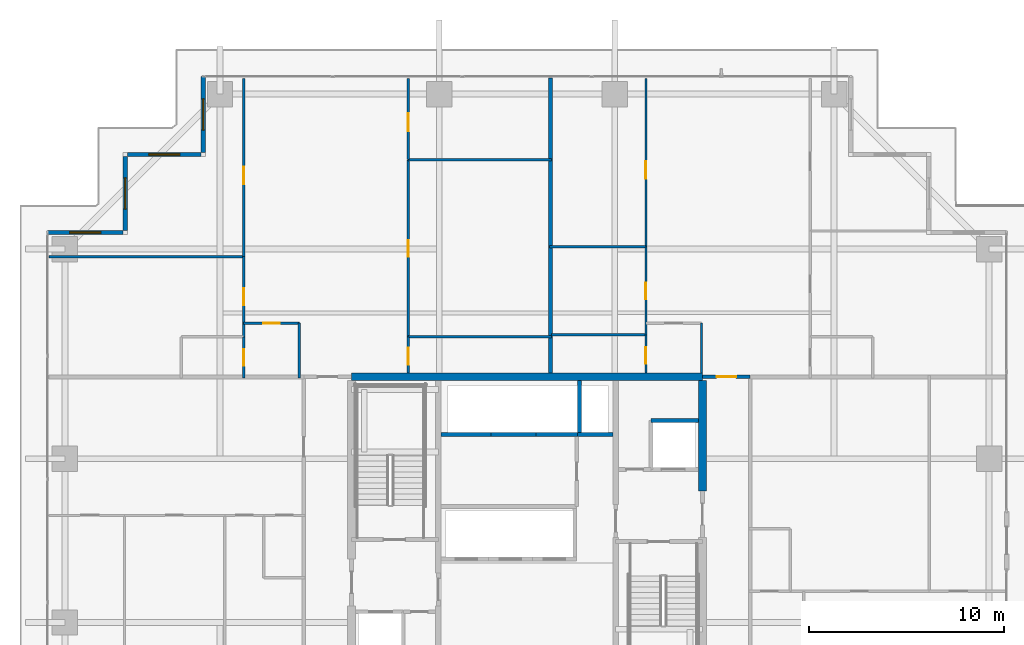
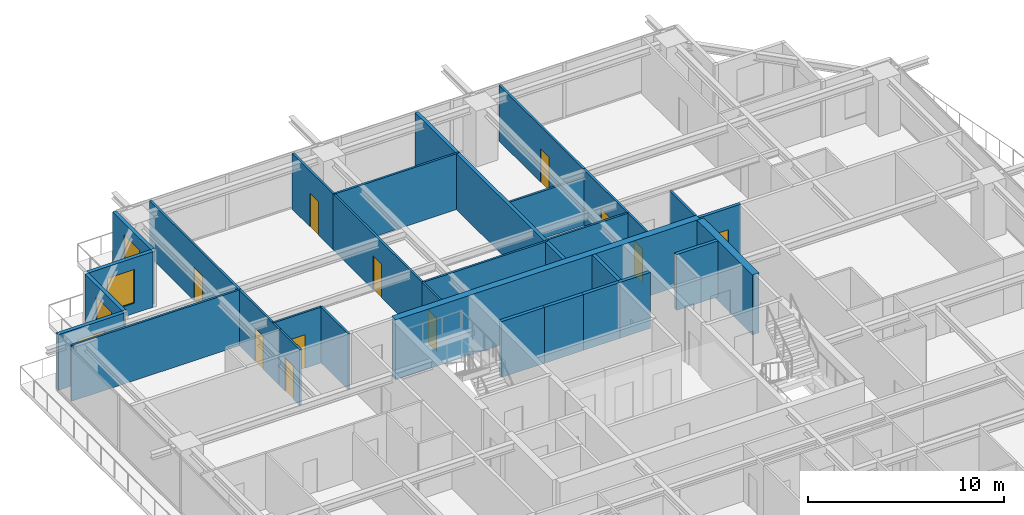
# One storey, part 29 of 36: 31 walls, 11 doors, 4 windows, 15 openings.
"""IFC4 building model written with IfcOpenShell, lengths in metres."""

import ifcopenshell
import ifcopenshell.guid

model = None  # the IFC model being written
_history = None  # IfcOwnerHistory: only IFC2X3 demands one
_inside = {}  # id of a spatial element -> (the spatial element, [elements in it])
_under = {}  # id of a project, library or spatial element -> (it, [spatial elements below it])
_declared = {}  # id of a project -> (the project, [libraries it declares])
_typed = {}  # id of a type object -> (the type object, [elements of that type])
_made_of = {}  # id of a material, layer set ... -> (it, [elements and type objects made of it])


def new_model(schema):
    """Start an empty IFC model of exactly this schema.

    Asked for "IFC4X3", IfcOpenShell would pick the latest addendum, in which some entities
    have other attributes; the version numbers below select the first issue.
    IFC2X3 requires an IfcOwnerHistory on every rooted entity: one is made here for all.
    """
    global model, _history
    if schema == "IFC4X3":
        model = ifcopenshell.file(schema_version=(4, 3, 0, 0))
    else:
        model = ifcopenshell.file(schema=schema)
    _inside.clear()
    _under.clear()
    _declared.clear()
    _typed.clear()
    _made_of.clear()
    _history = None
    if model.schema == "IFC2X3":
        org = make("IfcOrganization", Name="unknown")
        user = make(
            "IfcPersonAndOrganization",
            ThePerson=make("IfcPerson", FamilyName="unknown"),
            TheOrganization=org,
        )
        app = make(
            "IfcApplication",
            ApplicationDeveloper=org,
            Version="unknown",
            ApplicationFullName="unknown",
            ApplicationIdentifier="unknown",
        )
        _history = make(
            "IfcOwnerHistory",
            OwningUser=user,
            OwningApplication=app,
            ChangeAction="ADDED",
            CreationDate=0,
        )
    return model


def make(cls, **values):
    """One entity of the class cls with the attributes given. An attribute that is None is left unset."""
    return model.create_entity(
        cls, **{name: value for name, value in values.items() if value is not None}
    )


def rooted(cls, **values):
    """An entity with a GlobalId (a new one), such as an element, a storey or a relation."""
    return make(cls, GlobalId=ifcopenshell.guid.new(), OwnerHistory=_history, **values)


def si_unit(unit_type, name, prefix=None):
    """IfcSIUnit, for example si_unit("LENGTHUNIT", "METRE", prefix="MILLI")."""
    return make("IfcSIUnit", UnitType=unit_type, Prefix=prefix, Name=name)


def assignment(units):
    """IfcUnitAssignment: the units of a project."""
    return None if units is None else make("IfcUnitAssignment", Units=units)


def point(xyz):
    """IfcCartesianPoint."""
    return None if xyz is None else make("IfcCartesianPoint", Coordinates=xyz)


def direction(xyz):
    """IfcDirection."""
    return None if xyz is None else make("IfcDirection", DirectionRatios=xyz)


def frame(location, z_axis=None, x_axis=None):
    """IfcAxis2Placement3D, a coordinate frame: its origin and axes. An axis left out is left unset."""
    return make(
        "IfcAxis2Placement3D",
        Location=point(location),
        Axis=direction(z_axis),
        RefDirection=direction(x_axis),
    )


def frame_2d(location, x_axis=None):
    """IfcAxis2Placement2D, a coordinate frame in the plane: its origin and x axis."""
    return make(
        "IfcAxis2Placement2D", Location=point(location), RefDirection=direction(x_axis)
    )


def origin():
    """The frame at (0, 0, 0) with its axes left unset."""
    return frame((0.0, 0.0, 0.0))


def place(relative_to, where):
    """IfcLocalPlacement: puts the frame where relative to a parent placement (None: the world)."""
    return make(
        "IfcLocalPlacement", PlacementRelTo=relative_to, RelativePlacement=where
    )


def context(
    kind, dimensions, precision=None, world=None, true_north=None, identifier=None
):
    """IfcGeometricRepresentationContext, for example the 3D "Model" context."""
    return make(
        "IfcGeometricRepresentationContext",
        ContextIdentifier=identifier,
        ContextType=kind,
        CoordinateSpaceDimension=dimensions,
        Precision=precision,
        WorldCoordinateSystem=world,
        TrueNorth=true_north,
    )


def subcontext(parent, identifier, kind, view, scale=None):
    """IfcGeometricRepresentationSubContext, for example "Body" below "Model"."""
    return make(
        "IfcGeometricRepresentationSubContext",
        ContextIdentifier=identifier,
        ContextType=kind,
        ParentContext=parent,
        TargetScale=scale,
        TargetView=view,
    )


def project(units=None, contexts=None):
    """IfcProject with its units and contexts."""
    return rooted(
        "IfcProject",
        Name="project",
        RepresentationContexts=contexts,
        UnitsInContext=assignment(units),
    )


def spatial(cls, under=None, at=None, **own):
    """A site, building, storey or space (cls), placed at a placement, below another one or the project."""
    s = rooted(cls, ObjectPlacement=at, **own)
    if under is not None:
        _under.setdefault(under.id(), (under, []))[1].append(s)
    return s


def profile(cls, at=None, kind="AREA", **sizes):
    """A parametric profile (cls). Its sizes go by their IFC names, for example OverallWidth=200.0."""
    return make(cls, ProfileType=kind, Position=at, **sizes)


def rectangle(**sizes):
    """IfcRectangleProfileDef."""
    return profile("IfcRectangleProfileDef", **sizes)


def extrude(swept, where, along, depth):
    """IfcExtrudedAreaSolid: the profile swept, set in the frame where, extruded along a direction by depth."""
    return make(
        "IfcExtrudedAreaSolid",
        SweptArea=swept,
        Position=where,
        ExtrudedDirection=direction(along),
        Depth=depth,
    )


def shape(context_of_items, identifier, shape_type, items):
    """IfcShapeRepresentation: the items that make up one representation, for example the "Body"."""
    return make(
        "IfcShapeRepresentation",
        ContextOfItems=context_of_items,
        RepresentationIdentifier=identifier,
        RepresentationType=shape_type,
        Items=items,
    )


def source(mapping_origin, context_of_items, identifier, shape_type, items):
    """IfcRepresentationMap: a shape defined once, which mapped items show again and again."""
    return make(
        "IfcRepresentationMap",
        MappingOrigin=mapping_origin,
        MappedRepresentation=shape(context_of_items, identifier, shape_type, items),
    )


def transform(
    local_origin,
    x_axis=None,
    y_axis=None,
    z_axis=None,
    scale=None,
    scale2=None,
    scale3=None,
    uniform=True,
):
    """IfcCartesianTransformationOperator3D, or its non-uniform kind. x_axis, y_axis, z_axis: its Axis1, 2, 3."""
    if uniform:
        return make(
            "IfcCartesianTransformationOperator3D",
            Axis1=direction(x_axis),
            Axis2=direction(y_axis),
            LocalOrigin=point(local_origin),
            Scale=scale,
            Axis3=direction(z_axis),
        )
    return make(
        "IfcCartesianTransformationOperator3DnonUniform",
        Axis1=direction(x_axis),
        Axis2=direction(y_axis),
        LocalOrigin=point(local_origin),
        Scale=scale,
        Axis3=direction(z_axis),
        Scale2=scale2,
        Scale3=scale3,
    )


def mapped(mapping_source, mapping_target):
    """IfcMappedItem: shows the shape of a source again, moved by a transform."""
    return make(
        "IfcMappedItem", MappingSource=mapping_source, MappingTarget=mapping_target
    )


def material(Name=None, Category=None):
    """IfcMaterial."""
    return make("IfcMaterial", Name=Name, Category=Category)


def layer(
    of_material, thickness, ventilated=None, Name=None, Category=None, Priority=None
):
    """IfcMaterialLayer: one layer of a wall or slab, of a material (None: an air gap)."""
    return make(
        "IfcMaterialLayer",
        Material=of_material,
        LayerThickness=thickness,
        IsVentilated=ventilated,
        Name=Name,
        Category=Category,
        Priority=Priority,
    )


def layer_set(layers, Name=None):
    """IfcMaterialLayerSet."""
    return make("IfcMaterialLayerSet", MaterialLayers=layers, LayerSetName=Name)


def made_of(thing, what):
    """Note that an element or type object is made of a material, layer set ...; save() writes the relation."""
    if what is not None:
        _made_of.setdefault(what.id(), (what, []))[1].append(thing)
    return thing


def type_object(cls, material=None, **own):
    """A type object (cls), such as IfcWallType, which elements share."""
    return made_of(rooted(cls, **own), material)


def element(
    cls,
    number,
    at=None,
    inside=None,
    cuts=None,
    type_object=None,
    material=None,
    context=None,
    identifier="Body",
    shape_type=None,
    held_by="IfcProductDefinitionShape",
    body=None,
    shapes=None,
    **own,
):
    """One element of the class cls, such as IfcWall. Its Tag is "e" and its number.

    at: its placement. inside: the storey or other place that contains it. cuts: it is an
    opening in that element (IfcRelVoidsElement). A single representation is given by context,
    identifier, shape_type and body (its items); several are given by shapes. held_by: the class
    of the entity that holds the representations. save() writes the other relations.
    """
    e = rooted(cls, Tag="e%d" % number, ObjectPlacement=at, **own)
    if body is not None:
        shapes = [shape(context, identifier, shape_type, body)]
    if shapes is not None:
        e.Representation = make(held_by, Representations=shapes)
    if inside is not None:
        _inside.setdefault(inside.id(), (inside, []))[1].append(e)
    if cuts is not None:
        rooted(
            "IfcRelVoidsElement", RelatingBuildingElement=cuts, RelatedOpeningElement=e
        )
    if type_object is not None:
        _typed.setdefault(type_object.id(), (type_object, []))[1].append(e)
    return made_of(e, material)


def fill(opening, filler):
    """IfcRelFillsElement: the door or window that sits in an opening."""
    return rooted(
        "IfcRelFillsElement",
        RelatingOpeningElement=opening,
        RelatedBuildingElement=filler,
    )


def aggregate(whole, parts):
    """IfcRelAggregates: a whole, such as a stair, and the parts it consists of."""
    return rooted("IfcRelAggregates", RelatingObject=whole, RelatedObjects=parts)


def save(model, path):
    """Write the relations noted so far, then the file.

    IfcRelAggregates (storeys below a building ...), IfcRelContainedInSpatialStructure (elements
    in a storey), IfcRelDefinesByType, IfcRelAssociatesMaterial and IfcRelDeclares: one each for
    every whole, place, type object, material and project.
    """
    for whole, parts in _under.values():
        aggregate(whole, parts)
    for where, things in _inside.values():
        rooted(
            "IfcRelContainedInSpatialStructure",
            RelatedElements=things,
            RelatingStructure=where,
        )
    for kind, things in _typed.values():
        rooted("IfcRelDefinesByType", RelatedObjects=things, RelatingType=kind)
    for what, things in _made_of.values():
        rooted("IfcRelAssociatesMaterial", RelatedObjects=things, RelatingMaterial=what)
    for by, libraries in _declared.values():
        rooted("IfcRelDeclares", RelatingContext=by, RelatedDefinitions=libraries)
    model.write(path)


model = new_model("IFC4")

# Units and contexts
model_context = context("Model", 3, precision=1e-05, world=origin(), true_north=direction((0.0, 1.0)))
body_context = subcontext(model_context, "Body", "Model", "MODEL_VIEW")
ifc_project = project(units=[si_unit("LENGTHUNIT", "METRE"), si_unit("AREAUNIT", "SQUARE_METRE"), si_unit("VOLUMEUNIT", "CUBIC_METRE"), si_unit("PLANEANGLEUNIT", "RADIAN"), si_unit("MASSUNIT", "GRAM", prefix="KILO")], contexts=[model_context])

# Site, building, storey
site_placement = place(None, origin())
site = spatial("IfcSite", under=ifc_project, at=site_placement, CompositionType="ELEMENT")
building_placement = place(site_placement, origin())
building = spatial("IfcBuilding", under=site, at=building_placement, Name="Serunith Strait Residences", CompositionType="ELEMENT")
storey_placement = place(building_placement, frame((0.0, 0.0, 146.39990234375)))
storey = spatial("IfcBuildingStorey", under=building, at=storey_placement, Name="L36", CompositionType="ELEMENT", Elevation=146.39990234375)

# Wall, opening, window
ifc_material_1 = material(Name="Pale-Champagne Aluminium Insulated Panel", Category="aluminium")
ifc_layer_1 = layer(ifc_material_1, 0.219970703125, Name="Pale-Champagne Aluminium Insulated Panel")
ifc_layer_set_1 = layer_set([ifc_layer_1], Name="Pale-Champagne Aluminium Insulated Panel")
wall_type_1 = type_object("IfcWallType", Name="EW-ALUM-220", PredefinedType="ELEMENTEDWALL", material=ifc_layer_set_1)
wall_1_placement = place(storey_placement, frame((15.800048828125, 49.0, 0.0), z_axis=(0.0, 0.0, 1.0), x_axis=(0.0, -1.0, 0.0)))
wall_1 = element("IfcWall", 1, at=wall_1_placement, inside=storey, type_object=wall_type_1, Name="L36 Girih Serrated Corner Wall 12", PredefinedType="ELEMENTEDWALL", context=body_context, shape_type="SweptSolid", body=[
    extrude(rectangle(XDim=3.889892578125, YDim=0.219970703125, at=frame_2d((1.94482421875, 0.0))), origin(), (0.0, 0.0, 1.0), 3.47509765625),
])
opening_1_placement = place(wall_1_placement, frame((1.14501953125, 0.0, 0.64990234375)))
opening_1 = element("IfcOpeningElement", 2, at=opening_1_placement, cuts=wall_1, Name="Opening W-02", PredefinedType="OPENING", context=body_context, shape_type="SweptSolid", body=[
    extrude(rectangle(XDim=1.60009765625, YDim=2.10009765625, at=frame_2d((0.800048828125, 1.050048828125))), frame((0.0, 0.1201171875, 0.0), z_axis=(0.0, -1.0, 0.0), x_axis=(1.0, 0.0, 0.0)), (0.0, 0.0, 1.0), 0.239990234375),
])
ifc_material_2 = material(Name="Ceramic-Fritted Operable Aluminium Window Glass", Category="aluminium")
window_type = type_object("IfcWindowType", Name="WIN-C2", PartitioningType="DOUBLE_PANEL_VERTICAL", PredefinedType="WINDOW", material=ifc_material_2)
shared_shape_1 = source(origin(), body_context, "Body", "SweptSolid", [
    extrude(rectangle(XDim=1.60009765625, YDim=2.10009765625, at=frame_2d((0.800048828125, 1.050048828125))), frame((0.0, 0.030029296875, 0.0), z_axis=(0.0, -1.0, 0.0), x_axis=(1.0, 0.0, 0.0)), (0.0, 0.0, 1.0), 0.06005859375),
])
window_1_placement = place(opening_1_placement, origin())
window_1 = element("IfcWindow", 3, at=window_1_placement, inside=storey, type_object=window_type, Name="L36 Corner Operable Fritted Window 12", OverallHeight=2.10009765625, OverallWidth=1.60009765625, PartitioningType="SINGLE_PANEL", PredefinedType="WINDOW", context=body_context, shape_type="MappedRepresentation", body=[
    mapped(shared_shape_1, transform((0.0, 0.0, 0.0), scale=1.0)),
])
fill(opening_1, window_1)

wall_2_placement = place(storey_placement, frame((15.68994140625, 45.0, 0.0), z_axis=(0.0, 0.0, 1.0), x_axis=(-1.0, 0.0, 0.0)))
wall_2 = element("IfcWall", 4, at=wall_2_placement, inside=storey, type_object=wall_type_1, Name="L36 Girih Serrated Corner Wall 13", PredefinedType="ELEMENTEDWALL", context=body_context, shape_type="SweptSolid", body=[
    extrude(rectangle(XDim=3.780029296875, YDim=0.219970703125, at=frame_2d((1.89013671875, 0.0))), origin(), (0.0, 0.0, 1.0), 3.47509765625),
])
opening_2_placement = place(wall_2_placement, frame((1.090087890625, 0.0, 0.64990234375)))
opening_2 = element("IfcOpeningElement", 5, at=opening_2_placement, cuts=wall_2, Name="Opening W-02", PredefinedType="OPENING", context=body_context, shape_type="SweptSolid", body=[
    extrude(rectangle(XDim=1.60009765625, YDim=2.10009765625, at=frame_2d((0.800048828125, 1.050048828125))), frame((0.0, 0.1201171875, 0.0), z_axis=(0.0, -1.0, 0.0), x_axis=(1.0, 0.0, 0.0)), (0.0, 0.0, 1.0), 0.239990234375),
])
window_2_placement = place(opening_2_placement, origin())
window_2 = element("IfcWindow", 6, at=window_2_placement, inside=storey, type_object=window_type, Name="L36 Corner Operable Fritted Window 13", OverallHeight=2.10009765625, OverallWidth=1.60009765625, PartitioningType="SINGLE_PANEL", PredefinedType="WINDOW", context=body_context, shape_type="MappedRepresentation", body=[
    mapped(shared_shape_1, transform((0.0, 0.0, 0.0), scale=1.0)),
])
fill(opening_2, window_2)

wall_3_placement = place(storey_placement, frame((11.800048828125, 44.889892578125, 0.0), z_axis=(0.0, 0.0, 1.0), x_axis=(0.0, -1.0, 0.0)))
wall_3 = element("IfcWall", 7, at=wall_3_placement, inside=storey, type_object=wall_type_1, Name="L36 Girih Serrated Corner Wall 14", PredefinedType="ELEMENTEDWALL", context=body_context, shape_type="SweptSolid", body=[
    extrude(rectangle(XDim=3.77978515625, YDim=0.219970703125, at=frame_2d((1.889892578125, 0.0))), origin(), (0.0, 0.0, 1.0), 3.47509765625),
])
opening_3_placement = place(wall_3_placement, frame((1.090087890625, 0.0, 0.64990234375)))
opening_3 = element("IfcOpeningElement", 8, at=opening_3_placement, cuts=wall_3, Name="Opening W-02", PredefinedType="OPENING", context=body_context, shape_type="SweptSolid", body=[
    extrude(rectangle(XDim=1.60009765625, YDim=2.10009765625, at=frame_2d((0.800048828125, 1.050048828125))), frame((0.0, 0.1201171875, 0.0), z_axis=(0.0, -1.0, 0.0), x_axis=(1.0, 0.0, 0.0)), (0.0, 0.0, 1.0), 0.239990234375),
])
window_3_placement = place(opening_3_placement, origin())
window_3 = element("IfcWindow", 9, at=window_3_placement, inside=storey, type_object=window_type, Name="L36 Corner Operable Fritted Window 14", OverallHeight=2.10009765625, OverallWidth=1.60009765625, PartitioningType="SINGLE_PANEL", PredefinedType="WINDOW", context=body_context, shape_type="MappedRepresentation", body=[
    mapped(shared_shape_1, transform((0.0, 0.0, 0.0), scale=1.0)),
])
fill(opening_3, window_3)

wall_4_placement = place(storey_placement, frame((11.68994140625, 41.0, 0.0), z_axis=(0.0, 0.0, 1.0), x_axis=(-1.0, 0.0, 0.0)))
wall_4 = element("IfcWall", 10, at=wall_4_placement, inside=storey, type_object=wall_type_1, Name="L36 Girih Serrated Corner Wall 15", PredefinedType="ELEMENTEDWALL", context=body_context, shape_type="SweptSolid", body=[
    extrude(rectangle(XDim=3.889892578125, YDim=0.219970703125, at=frame_2d((1.94482421875, 0.0))), origin(), (0.0, 0.0, 1.0), 3.47509765625),
])
opening_4_placement = place(wall_4_placement, frame((1.14501953125, 0.0, 0.64990234375)))
opening_4 = element("IfcOpeningElement", 11, at=opening_4_placement, cuts=wall_4, Name="Opening W-02", PredefinedType="OPENING", context=body_context, shape_type="SweptSolid", body=[
    extrude(rectangle(XDim=1.60009765625, YDim=2.10009765625, at=frame_2d((0.800048828125, 1.050048828125))), frame((0.0, 0.1201171875, 0.0), z_axis=(0.0, -1.0, 0.0), x_axis=(1.0, 0.0, 0.0)), (0.0, 0.0, 1.0), 0.239990234375),
])
window_4_placement = place(opening_4_placement, origin())
window_4 = element("IfcWindow", 12, at=window_4_placement, inside=storey, type_object=window_type, Name="L36 Corner Operable Fritted Window 15", OverallHeight=2.10009765625, OverallWidth=1.60009765625, PartitioningType="SINGLE_PANEL", PredefinedType="WINDOW", context=body_context, shape_type="MappedRepresentation", body=[
    mapped(shared_shape_1, transform((0.0, 0.0, 0.0), scale=1.0)),
])
fill(opening_4, window_4)

# Wall, opening, door
ifc_material_3 = material(Name="Fire-rated acoustic gypsum partition")
ifc_layer_2 = layer(ifc_material_3, 0.179931640625, Name="Fire-rated acoustic gypsum partition")
ifc_layer_set_2 = layer_set([ifc_layer_2], Name="Fire-rated acoustic gypsum partition")
wall_type_2 = type_object("IfcWallType", Name="IW-CORR-180", PredefinedType="PARTITIONING", material=ifc_layer_set_2)
wall_5_placement = place(storey_placement, frame((41.402099609375, 33.60009765625, 0.0), z_axis=(0.0, 0.0, 1.0), x_axis=(1.0, 0.0, 0.0)))
wall_5 = element("IfcWall", 13, at=wall_5_placement, inside=storey, type_object=wall_type_2, Name="L36 Partition Wall 024", PredefinedType="PARTITIONING", context=body_context, shape_type="SweptSolid", body=[
    extrude(rectangle(XDim=2.44580078125, YDim=0.179931640625, at=frame_2d((1.222900390625, 0.0))), origin(), (0.0, 0.0, 1.0), 3.489990234375),
])
opening_5_placement = place(wall_5_placement, frame((0.722900390625, 0.0, 0.0)))
opening_5 = element("IfcOpeningElement", 14, at=opening_5_placement, cuts=wall_5, Name="Opening D-APT1000", PredefinedType="OPENING", context=body_context, shape_type="SweptSolid", body=[
    extrude(rectangle(XDim=1.0, YDim=2.14990234375, at=frame_2d((0.5, 1.074951171875))), frame((0.0, 0.10009765625, 0.0), z_axis=(0.0, -1.0, 0.0), x_axis=(1.0, 0.0, 0.0)), (0.0, 0.0, 1.0), 0.199951171875),
])
ifc_material_4 = material(Name="Solid timber engineered fire door", Category="wood")
door_type_1 = type_object("IfcDoorType", Name="ID-APT-1000", OperationType="NOTDEFINED", PredefinedType="DOOR", material=ifc_material_4)
shared_shape_2 = source(origin(), body_context, "Body", "SweptSolid", [
    extrude(rectangle(XDim=1.0, YDim=2.14990234375, at=frame_2d((0.5, 1.074951171875))), frame((0.0, 0.02490234375, 0.0), z_axis=(0.0, -1.0, 0.0), x_axis=(1.0, 0.0, 0.0)), (0.0, 0.0, 1.0), 0.050048828125),
])
door_1_placement = place(opening_5_placement, origin())
door_1 = element("IfcDoor", 15, at=door_1_placement, inside=storey, type_object=door_type_1, Name="L36 Unit 03 Entrance Door", OperationType="SINGLE_SWING_LEFT", OverallHeight=2.14990234375, OverallWidth=1.0, PredefinedType="DOOR", context=body_context, shape_type="MappedRepresentation", body=[
    mapped(shared_shape_2, transform((0.0, 0.0, 0.0), scale=1.0)),
])
fill(opening_5, door_1)

ifc_material_5 = material(Name="Lightweight steel-stud gypsum partition", Category="steel")
ifc_layer_3 = layer(ifc_material_5, 0.1201171875, Name="Lightweight steel-stud gypsum partition")
ifc_layer_set_3 = layer_set([ifc_layer_3], Name="Lightweight steel-stud gypsum partition")
wall_type_3 = type_object("IfcWallType", Name="IW-PART-120", PredefinedType="PARTITIONING", material=ifc_layer_set_3)
wall_6_placement = place(storey_placement, frame((17.8701171875, 36.35009765625, 0.0), z_axis=(0.0, 0.0, 1.0), x_axis=(1.0, 0.0, 0.0)))
wall_6 = element("IfcWall", 16, at=wall_6_placement, inside=storey, type_object=wall_type_3, Name="L36 Partition Wall 055", PredefinedType="PARTITIONING", context=body_context, shape_type="SweptSolid", body=[
    extrude(rectangle(XDim=2.849853515625, YDim=0.1201171875, at=frame_2d((1.4248046875, 0.0))), origin(), (0.0, 0.0, 1.0), 3.489990234375),
])
opening_6_placement = place(wall_6_placement, frame((1.0, 0.0, 0.0)))
opening_6 = element("IfcOpeningElement", 17, at=opening_6_placement, cuts=wall_6, Name="Opening D-RM850", PredefinedType="OPENING", context=body_context, shape_type="SweptSolid", body=[
    extrude(rectangle(XDim=0.85009765625, YDim=2.10009765625, at=frame_2d((0.425048828125, 1.050048828125))), frame((0.0, 0.070068359375, 0.0), z_axis=(0.0, -1.0, 0.0), x_axis=(1.0, 0.0, 0.0)), (0.0, 0.0, 1.0), 0.14013671875),
])
ifc_material_6 = material(Name="Engineered timber flush study and kitchen door", Category="wood")
door_type_2 = type_object("IfcDoorType", Name="ID-ROOM-850", OperationType="NOTDEFINED", PredefinedType="DOOR", material=ifc_material_6)
shared_shape_3 = source(origin(), body_context, "Body", "SweptSolid", [
    extrude(rectangle(XDim=0.85009765625, YDim=2.10009765625, at=frame_2d((0.425048828125, 1.050048828125))), frame((0.0, 0.02490234375, 0.0), z_axis=(0.0, -1.0, 0.0), x_axis=(1.0, 0.0, 0.0)), (0.0, 0.0, 1.0), 0.050048828125),
])
door_2_placement = place(opening_6_placement, origin())
door_2 = element("IfcDoor", 18, at=door_2_placement, inside=storey, type_object=door_type_2, Name="L36 Kitchen 3602 Door", OperationType="SINGLE_SWING_RIGHT", OverallHeight=2.10009765625, OverallWidth=0.85009765625, PredefinedType="DOOR", context=body_context, shape_type="MappedRepresentation", body=[
    mapped(shared_shape_3, transform((0.0, 0.0, 0.0), scale=1.0)),
])
fill(opening_6, door_2)

# Wall
wall_7_placement = place(storey_placement, frame((20.719970703125, 36.35009765625, 0.0), z_axis=(0.0, 0.0, 1.0), x_axis=(0.0, -1.0, 0.0)))
element("IfcWall", 19, at=wall_7_placement, inside=storey, type_object=wall_type_3, Name="L36 Partition Wall 056", PredefinedType="PARTITIONING", context=body_context, shape_type="SweptSolid", body=[
    extrude(rectangle(XDim=2.81005859375, YDim=0.1201171875, at=frame_2d((1.405029296875, 0.0))), origin(), (0.0, 0.0, 1.0), 3.489990234375),
])

# Wall, opening, door
wall_8_placement = place(storey_placement, frame((17.8701171875, 48.905029296875, 0.0), z_axis=(0.0, 0.0, 1.0), x_axis=(0.0, -1.0, 0.0)))
wall_8 = element("IfcWall", 20, at=wall_8_placement, inside=storey, type_object=wall_type_3, Name="L36 Partition Wall 057", PredefinedType="PARTITIONING", context=body_context, shape_type="SweptSolid", body=[
    extrude(rectangle(XDim=9.14013671875, YDim=0.1201171875, at=frame_2d((4.570068359375, 0.0))), origin(), (0.0, 0.0, 1.0), 3.489990234375),
])
opening_7_placement = place(wall_8_placement, frame((4.531982421875, 0.0, 0.0)))
opening_7 = element("IfcOpeningElement", 21, at=opening_7_placement, cuts=wall_8, Name="Opening D-RM900", PredefinedType="OPENING", context=body_context, shape_type="SweptSolid", body=[
    extrude(rectangle(XDim=0.89990234375, YDim=2.10009765625, at=frame_2d((0.449951171875, 1.050048828125))), frame((0.0, 0.070068359375, 0.0), z_axis=(0.0, -1.0, 0.0), x_axis=(1.0, 0.0, 0.0)), (0.0, 0.0, 1.0), 0.14013671875),
])
ifc_material_7 = material(Name="Engineered timber flush bedroom door", Category="wood")
door_type_3 = type_object("IfcDoorType", Name="ID-ROOM-900", OperationType="NOTDEFINED", PredefinedType="DOOR", material=ifc_material_7)
shared_shape_4 = source(origin(), body_context, "Body", "SweptSolid", [
    extrude(rectangle(XDim=0.89990234375, YDim=2.10009765625, at=frame_2d((0.449951171875, 1.050048828125))), frame((0.0, 0.02490234375, 0.0), z_axis=(0.0, -1.0, 0.0), x_axis=(1.0, 0.0, 0.0)), (0.0, 0.0, 1.0), 0.050048828125),
])
door_3_placement = place(opening_7_placement, origin())
door_3 = element("IfcDoor", 22, at=door_3_placement, inside=storey, type_object=door_type_3, Name="L36 Master Bedroom 1 3602 Door", OperationType="SINGLE_SWING_LEFT", OverallHeight=2.10009765625, OverallWidth=0.89990234375, PredefinedType="DOOR", context=body_context, shape_type="MappedRepresentation", body=[
    mapped(shared_shape_4, transform((0.0, 0.0, 0.0), scale=1.0)),
])
fill(opening_7, door_3)

# Wall
wall_9_placement = place(storey_placement, frame((7.89501953125, 39.764892578125, 0.0), z_axis=(0.0, 0.0, 1.0), x_axis=(1.0, 0.0, 0.0)))
element("IfcWall", 23, at=wall_9_placement, inside=storey, type_object=wall_type_3, Name="L36 Partition Wall 058", PredefinedType="PARTITIONING", context=body_context, shape_type="SweptSolid", body=[
    extrude(rectangle(XDim=9.97509765625, YDim=0.1201171875, at=frame_2d((4.987548828125, 0.0))), origin(), (0.0, 0.0, 1.0), 3.489990234375),
])

# Wall, opening, door
wall_10_placement = place(storey_placement, frame((17.8701171875, 39.762939453125, 0.0), z_axis=(0.0, 0.0, 1.0), x_axis=(0.0, -1.0, 0.0)))
wall_10 = element("IfcWall", 24, at=wall_10_placement, inside=storey, type_object=wall_type_3, Name="L36 Partition Wall 061", PredefinedType="PARTITIONING", context=body_context, shape_type="SweptSolid", body=[
    extrude(rectangle(XDim=4.113037109375, YDim=0.1201171875, at=frame_2d((2.056640625, 0.0))), origin(), (0.0, 0.0, 1.0), 3.489990234375),
])
opening_8_placement = place(wall_10_placement, frame((1.631103515625, 0.0, 0.0)))
opening_8 = element("IfcOpeningElement", 25, at=opening_8_placement, cuts=wall_10, Name="Opening D-RM850", PredefinedType="OPENING", context=body_context, shape_type="SweptSolid", body=[
    extrude(rectangle(XDim=0.85009765625, YDim=2.10009765625, at=frame_2d((0.425048828125, 1.050048828125))), frame((0.0, 0.070068359375, 0.0), z_axis=(0.0, -1.0, 0.0), x_axis=(1.0, 0.0, 0.0)), (0.0, 0.0, 1.0), 0.14013671875),
])
door_4_placement = place(opening_8_placement, origin())
door_4 = element("IfcDoor", 26, at=door_4_placement, inside=storey, type_object=door_type_2, Name="L36 Walk-in Wardrobe 3602 Door", OperationType="SINGLE_SWING_RIGHT", OverallHeight=2.10009765625, OverallWidth=0.85009765625, PredefinedType="DOOR", context=body_context, shape_type="MappedRepresentation", body=[
    mapped(shared_shape_3, transform((0.0, 0.0, 0.0), scale=1.0)),
])
fill(opening_8, door_4)

wall_11_placement = place(storey_placement, frame((17.8701171875, 35.64794921875, 0.0), z_axis=(0.0, 0.0, 1.0), x_axis=(0.0, -1.0, 0.0)))
wall_11 = element("IfcWall", 27, at=wall_11_placement, inside=storey, type_object=wall_type_3, Name="L36 Partition Wall 062", PredefinedType="PARTITIONING", context=body_context, shape_type="SweptSolid", body=[
    extrude(rectangle(XDim=2.10791015625, YDim=0.1201171875, at=frame_2d((1.053955078125, 0.0))), origin(), (0.0, 0.0, 1.0), 3.489990234375),
])
opening_9_placement = place(wall_11_placement, frame((0.62890625, 0.0, 0.0)))
opening_9 = element("IfcOpeningElement", 28, at=opening_9_placement, cuts=wall_11, Name="Opening D-BTH850", PredefinedType="OPENING", context=body_context, shape_type="SweptSolid", body=[
    extrude(rectangle(XDim=0.85009765625, YDim=2.10009765625, at=frame_2d((0.425048828125, 1.050048828125))), frame((0.0, 0.070068359375, 0.0), z_axis=(0.0, -1.0, 0.0), x_axis=(1.0, 0.0, 0.0)), (0.0, 0.0, 1.0), 0.14013671875),
])
ifc_material_8 = material(Name="Moisture-resistant timber bathroom door", Category="wood")
door_type_4 = type_object("IfcDoorType", Name="ID-BATH-850", OperationType="NOTDEFINED", PredefinedType="DOOR", material=ifc_material_8)
door_5_placement = place(opening_9_placement, origin())
door_5 = element("IfcDoor", 29, at=door_5_placement, inside=storey, type_object=door_type_4, Name="L36 Bathroom 3602 Door", OperationType="SINGLE_SWING_LEFT", OverallHeight=2.10009765625, OverallWidth=0.85009765625, PredefinedType="DOOR", context=body_context, shape_type="MappedRepresentation", body=[
    mapped(shared_shape_3, transform((0.0, 0.0, 0.0), scale=1.0)),
])
fill(opening_9, door_5)

wall_12_placement = place(storey_placement, frame((26.300048828125, 48.905029296875, 0.0), z_axis=(0.0, 0.0, 1.0), x_axis=(0.0, -1.0, 0.0)))
wall_12 = element("IfcWall", 30, at=wall_12_placement, inside=storey, type_object=wall_type_3, Name="L36 Partition Wall 063", PredefinedType="PARTITIONING", context=body_context, shape_type="SweptSolid", body=[
    extrude(rectangle(XDim=4.171142578125, YDim=0.1201171875, at=frame_2d((2.08544921875, 0.0))), origin(), (0.0, 0.0, 1.0), 3.489990234375),
])
opening_10_placement = place(wall_12_placement, frame((1.799072265625, 0.0, 0.0)))
opening_10 = element("IfcOpeningElement", 31, at=opening_10_placement, cuts=wall_12, Name="Opening D-RM900", PredefinedType="OPENING", context=body_context, shape_type="SweptSolid", body=[
    extrude(rectangle(XDim=0.89990234375, YDim=2.10009765625, at=frame_2d((0.449951171875, 1.050048828125))), frame((0.0, 0.070068359375, 0.0), z_axis=(0.0, -1.0, 0.0), x_axis=(1.0, 0.0, 0.0)), (0.0, 0.0, 1.0), 0.14013671875),
])
door_6_placement = place(opening_10_placement, origin())
door_6 = element("IfcDoor", 32, at=door_6_placement, inside=storey, type_object=door_type_3, Name="L36 Bedroom 2 3602 Door", OperationType="SINGLE_SWING_RIGHT", OverallHeight=2.10009765625, OverallWidth=0.89990234375, PredefinedType="DOOR", context=body_context, shape_type="MappedRepresentation", body=[
    mapped(shared_shape_4, transform((0.0, 0.0, 0.0), scale=1.0)),
])
fill(opening_10, door_6)

# Walls
for number, where, z_axis, x_axis, name in (
    (33, (26.300048828125, 44.73388671875, 0.0), (0.0, 0.0, 1.0), (1.0, 0.0, 0.0), "L36 Partition Wall 064"),
    (34, (26.300048828125, 35.64990234375, 0.0), (0.0, 0.0, 1.0), (1.0, 0.0, 0.0), "L36 Partition Wall 065"),
):
    element("IfcWall", number, at=place(storey_placement, frame(where, z_axis=z_axis, x_axis=x_axis)), inside=storey, type_object=wall_type_3, Name=name, PredefinedType="PARTITIONING", context=body_context, shape_type="SweptSolid", body=[
        extrude(rectangle(XDim=7.35986328125, YDim=0.1201171875, at=frame_2d((3.679931640625, 0.0))), origin(), (0.0, 0.0, 1.0), 3.489990234375),
    ])

# Wall, opening, door
wall_13_placement = place(storey_placement, frame((26.300048828125, 44.73193359375, 0.0), z_axis=(0.0, 0.0, 1.0), x_axis=(0.0, -1.0, 0.0)))
wall_13 = element("IfcWall", 35, at=wall_13_placement, inside=storey, type_object=wall_type_3, Name="L36 Partition Wall 066", PredefinedType="PARTITIONING", context=body_context, shape_type="SweptSolid", body=[
    extrude(rectangle(XDim=9.08203125, YDim=0.1201171875, at=frame_2d((4.541015625, 0.0))), origin(), (0.0, 0.0, 1.0), 3.489990234375),
])
opening_11_placement = place(wall_13_placement, frame((4.115966796875, 0.0, 0.0)))
opening_11 = element("IfcOpeningElement", 36, at=opening_11_placement, cuts=wall_13, Name="Opening D-RM850", PredefinedType="OPENING", context=body_context, shape_type="SweptSolid", body=[
    extrude(rectangle(XDim=0.85009765625, YDim=2.10009765625, at=frame_2d((0.425048828125, 1.050048828125))), frame((0.0, 0.070068359375, 0.0), z_axis=(0.0, -1.0, 0.0), x_axis=(1.0, 0.0, 0.0)), (0.0, 0.0, 1.0), 0.14013671875),
])
door_7_placement = place(opening_11_placement, origin())
door_7 = element("IfcDoor", 37, at=door_7_placement, inside=storey, type_object=door_type_2, Name="L36 Walk-in Wardrobe 3602 Door", OperationType="SINGLE_SWING_LEFT", OverallHeight=2.10009765625, OverallWidth=0.85009765625, PredefinedType="DOOR", context=body_context, shape_type="MappedRepresentation", body=[
    mapped(shared_shape_3, transform((0.0, 0.0, 0.0), scale=1.0)),
])
fill(opening_11, door_7)

wall_14_placement = place(storey_placement, frame((26.300048828125, 35.64794921875, 0.0), z_axis=(0.0, 0.0, 1.0), x_axis=(0.0, -1.0, 0.0)))
wall_14 = element("IfcWall", 38, at=wall_14_placement, inside=storey, type_object=wall_type_3, Name="L36 Partition Wall 067", PredefinedType="PARTITIONING", context=body_context, shape_type="SweptSolid", body=[
    extrude(rectangle(XDim=1.847900390625, YDim=0.1201171875, at=frame_2d((0.923828125, 0.0))), origin(), (0.0, 0.0, 1.0), 3.489990234375),
])
opening_12_placement = place(wall_14_placement, frame((0.569091796875, 0.0, 0.0)))
opening_12 = element("IfcOpeningElement", 39, at=opening_12_placement, cuts=wall_14, Name="Opening D-BTH850", PredefinedType="OPENING", context=body_context, shape_type="SweptSolid", body=[
    extrude(rectangle(XDim=0.85009765625, YDim=2.10009765625, at=frame_2d((0.425048828125, 1.050048828125))), frame((0.0, 0.070068359375, 0.0), z_axis=(0.0, -1.0, 0.0), x_axis=(1.0, 0.0, 0.0)), (0.0, 0.0, 1.0), 0.14013671875),
])
door_8_placement = place(opening_12_placement, origin())
door_8 = element("IfcDoor", 40, at=door_8_placement, inside=storey, type_object=door_type_4, Name="L36 Bathroom 3602 Door", OperationType="SINGLE_SWING_RIGHT", OverallHeight=2.10009765625, OverallWidth=0.85009765625, PredefinedType="DOOR", context=body_context, shape_type="MappedRepresentation", body=[
    mapped(shared_shape_3, transform((0.0, 0.0, 0.0), scale=1.0)),
])
fill(opening_12, door_8)

# Wall
wall_15_placement = place(storey_placement, frame((41.35009765625, 36.35009765625, 0.0), z_axis=(0.0, 0.0, 1.0), x_axis=(0.0, -1.0, 0.0)))
element("IfcWall", 41, at=wall_15_placement, inside=storey, type_object=wall_type_3, Name="L36 Partition Wall 069", PredefinedType="PARTITIONING", context=body_context, shape_type="SweptSolid", body=[
    extrude(rectangle(XDim=2.550048828125, YDim=0.1201171875, at=frame_2d((1.27490234375, 0.0))), origin(), (0.0, 0.0, 1.0), 3.489990234375),
])

# Wall, opening, door
wall_16_placement = place(storey_placement, frame((38.5, 48.905029296875, 0.0), z_axis=(0.0, 0.0, 1.0), x_axis=(0.0, -1.0, 0.0)))
wall_16 = element("IfcWall", 42, at=wall_16_placement, inside=storey, type_object=wall_type_3, Name="L36 Partition Wall 070", PredefinedType="PARTITIONING", context=body_context, shape_type="SweptSolid", body=[
    extrude(rectangle(XDim=8.635986328125, YDim=0.1201171875, at=frame_2d((4.31787109375, 0.0))), origin(), (0.0, 0.0, 1.0), 3.489990234375),
])
opening_13_placement = place(wall_16_placement, frame((4.2548828125, 0.0, 0.0)))
opening_13 = element("IfcOpeningElement", 43, at=opening_13_placement, cuts=wall_16, Name="Opening D-RM900", PredefinedType="OPENING", context=body_context, shape_type="SweptSolid", body=[
    extrude(rectangle(XDim=0.89990234375, YDim=2.10009765625, at=frame_2d((0.449951171875, 1.050048828125))), frame((0.0, 0.070068359375, 0.0), z_axis=(0.0, -1.0, 0.0), x_axis=(1.0, 0.0, 0.0)), (0.0, 0.0, 1.0), 0.14013671875),
])
door_9_placement = place(opening_13_placement, origin())
door_9 = element("IfcDoor", 44, at=door_9_placement, inside=storey, type_object=door_type_3, Name="L36 Master Bedroom 1 3603 Door", OperationType="SINGLE_SWING_RIGHT", OverallHeight=2.10009765625, OverallWidth=0.89990234375, PredefinedType="DOOR", context=body_context, shape_type="MappedRepresentation", body=[
    mapped(shared_shape_4, transform((0.0, 0.0, 0.0), scale=1.0)),
])
fill(opening_13, door_9)

# Walls
wall_17_placement = place(storey_placement, frame((33.5400390625, 40.26904296875, 0.0), z_axis=(0.0, 0.0, 1.0), x_axis=(1.0, 0.0, 0.0)))
element("IfcWall", 45, at=wall_17_placement, inside=storey, type_object=wall_type_3, Name="L36 Partition Wall 071", PredefinedType="PARTITIONING", context=body_context, shape_type="SweptSolid", body=[
    extrude(rectangle(XDim=4.9599609375, YDim=0.1201171875, at=frame_2d((2.47998046875, 0.0))), origin(), (0.0, 0.0, 1.0), 2.97216796875),
])
wall_18_placement = place(storey_placement, frame((33.662109375, 35.7529296875, 0.0), z_axis=(0.0, 0.0, 1.0), x_axis=(1.0, 0.0, 0.0)))
element("IfcWall", 46, at=wall_18_placement, inside=storey, type_object=wall_type_3, Name="L36 Partition Wall 072", PredefinedType="PARTITIONING", context=body_context, shape_type="SweptSolid", body=[
    extrude(rectangle(XDim=4.837890625, YDim=0.1201171875, at=frame_2d((2.4189453125, 0.0))), origin(), (0.0, 0.0, 1.0), 3.489990234375),
])

# Wall, opening, door
wall_19_placement = place(storey_placement, frame((38.5, 40.26708984375, 0.0), z_axis=(0.0, 0.0, 1.0), x_axis=(0.0, -1.0, 0.0)))
wall_19 = element("IfcWall", 47, at=wall_19_placement, inside=storey, type_object=wall_type_3, Name="L36 Partition Wall 073", PredefinedType="PARTITIONING", context=body_context, shape_type="SweptSolid", body=[
    extrude(rectangle(XDim=4.51416015625, YDim=0.1201171875, at=frame_2d((2.257080078125, 0.0))), origin(), (0.0, 0.0, 1.0), 3.489990234375),
])
opening_14_placement = place(wall_19_placement, frame((1.83203125, 0.0, 0.0)))
opening_14 = element("IfcOpeningElement", 48, at=opening_14_placement, cuts=wall_19, Name="Opening D-RM850", PredefinedType="OPENING", context=body_context, shape_type="SweptSolid", body=[
    extrude(rectangle(XDim=0.85009765625, YDim=2.10009765625, at=frame_2d((0.425048828125, 1.050048828125))), frame((0.0, 0.070068359375, 0.0), z_axis=(0.0, -1.0, 0.0), x_axis=(1.0, 0.0, 0.0)), (0.0, 0.0, 1.0), 0.14013671875),
])
door_10_placement = place(opening_14_placement, origin())
door_10 = element("IfcDoor", 49, at=door_10_placement, inside=storey, type_object=door_type_2, Name="L36 Laundry Room 3603 Door", OperationType="SINGLE_SWING_LEFT", OverallHeight=2.10009765625, OverallWidth=0.85009765625, PredefinedType="DOOR", context=body_context, shape_type="MappedRepresentation", body=[
    mapped(shared_shape_3, transform((0.0, 0.0, 0.0), scale=1.0)),
])
fill(opening_14, door_10)

wall_20_placement = place(storey_placement, frame((38.5, 35.7509765625, 0.0), z_axis=(0.0, 0.0, 1.0), x_axis=(0.0, -1.0, 0.0)))
wall_20 = element("IfcWall", 50, at=wall_20_placement, inside=storey, type_object=wall_type_3, Name="L36 Partition Wall 074", PredefinedType="PARTITIONING", context=body_context, shape_type="SweptSolid", body=[
    extrude(rectangle(XDim=1.950927734375, YDim=0.1201171875, at=frame_2d((0.9755859375, 0.0))), origin(), (0.0, 0.0, 1.0), 3.489990234375),
])
opening_15_placement = place(wall_20_placement, frame((0.623046875, 0.0, 0.0)))
opening_15 = element("IfcOpeningElement", 51, at=opening_15_placement, cuts=wall_20, Name="Opening D-BTH850", PredefinedType="OPENING", context=body_context, shape_type="SweptSolid", body=[
    extrude(rectangle(XDim=0.85009765625, YDim=2.10009765625, at=frame_2d((0.425048828125, 1.050048828125))), frame((0.0, 0.070068359375, 0.0), z_axis=(0.0, -1.0, 0.0), x_axis=(1.0, 0.0, 0.0)), (0.0, 0.0, 1.0), 0.14013671875),
])
door_11_placement = place(opening_15_placement, origin())
door_11 = element("IfcDoor", 52, at=door_11_placement, inside=storey, type_object=door_type_4, Name="L36 Bathroom 3603 Door", OperationType="SINGLE_SWING_RIGHT", OverallHeight=2.10009765625, OverallWidth=0.85009765625, PredefinedType="DOOR", context=body_context, shape_type="MappedRepresentation", body=[
    mapped(shared_shape_3, transform((0.0, 0.0, 0.0), scale=1.0)),
])
fill(opening_15, door_11)

# Walls
ifc_material_9 = material(Name="Twin-stud acoustic gypsum board partition")
ifc_layer_4 = layer(ifc_material_9, 0.199951171875, Name="Twin-stud acoustic gypsum board partition")
ifc_layer_set_4 = layer_set([ifc_layer_4], Name="Twin-stud acoustic gypsum board partition")
wall_type_4 = type_object("IfcWallType", Name="IW-PARTY-200", PredefinedType="PARTITIONING", material=ifc_layer_set_4)
wall_21_placement = place(storey_placement, frame((33.60009765625, 33.800048828125, 0.0), z_axis=(0.0, 0.0, 1.0), x_axis=(0.0, 1.0, 0.0)))
element("IfcWall", 53, at=wall_21_placement, inside=storey, type_object=wall_type_4, Name="L36 Partition Wall 015", PredefinedType="PARTITIONING", context=body_context, shape_type="SweptSolid", body=[
    extrude(rectangle(XDim=15.117919921875, YDim=0.199951171875, at=frame_2d((7.55908203125, 0.0))), origin(), (0.0, 0.0, 1.0), 3.489990234375),
])
ifc_material_10 = material(Name="Autoclaved aerated concrete blockwork", Category="masonry")
ifc_layer_5 = layer(ifc_material_10, 0.199951171875, Name="Autoclaved aerated concrete blockwork")
ifc_layer_set_5 = layer_set([ifc_layer_5], Name="Autoclaved aerated concrete blockwork")
wall_type_5 = type_object("IfcWallType", Name="IW-SHAFT-200", PredefinedType="STANDARD", material=ifc_layer_set_5)
wall_22_placement = place(storey_placement, frame((28.0, 30.64990234375, 0.0), z_axis=(0.0, 0.0, 1.0), x_axis=(1.0, 0.0, 0.0)))
element("IfcWall", 54, at=wall_22_placement, inside=storey, type_object=wall_type_5, Name="L36 PL-7 South Shaft Wall", PredefinedType="STANDARD", context=body_context, shape_type="SweptSolid", body=[
    extrude(rectangle(XDim=2.550048828125, YDim=0.199951171875, at=frame_2d((1.27490234375, 0.0))), origin(), (0.0, 0.0, 1.0), 3.489990234375),
])
wall_23_placement = place(storey_placement, frame((30.550048828125, 30.64990234375, 0.0), z_axis=(0.0, 0.0, 1.0), x_axis=(1.0, 0.0, 0.0)))
element("IfcWall", 55, at=wall_23_placement, inside=storey, type_object=wall_type_5, Name="L36 PL-8 South Shaft Wall", PredefinedType="STANDARD", context=body_context, shape_type="SweptSolid", body=[
    extrude(rectangle(XDim=2.300048828125, YDim=0.199951171875, at=frame_2d((1.14990234375, 0.0))), origin(), (0.0, 0.0, 1.0), 3.489990234375),
])
wall_24_placement = place(storey_placement, frame((32.85009765625, 30.64990234375, 0.0), z_axis=(0.0, 0.0, 1.0), x_axis=(1.0, 0.0, 0.0)))
element("IfcWall", 56, at=wall_24_placement, inside=storey, type_object=wall_type_5, Name="L36 PL-9 South Shaft Wall", PredefinedType="STANDARD", context=body_context, shape_type="SweptSolid", body=[
    extrude(rectangle(XDim=2.14990234375, YDim=0.199951171875, at=frame_2d((1.074951171875, 0.0))), origin(), (0.0, 0.0, 1.0), 3.489990234375),
])
wall_25_placement = place(storey_placement, frame((35.0, 30.64990234375, 0.0), z_axis=(0.0, 0.0, 1.0), x_axis=(1.0, 0.0, 0.0)))
element("IfcWall", 57, at=wall_25_placement, inside=storey, type_object=wall_type_5, Name="L36 SL-1 South Shaft Wall", PredefinedType="STANDARD", context=body_context, shape_type="SweptSolid", body=[
    extrude(rectangle(XDim=1.800048828125, YDim=0.199951171875, at=frame_2d((0.89990234375, 0.0))), origin(), (0.0, 0.0, 1.0), 3.489990234375),
])
wall_26_placement = place(storey_placement, frame((35.10009765625, 30.75, 0.0), z_axis=(0.0, 0.0, 1.0), x_axis=(0.0, 1.0, 0.0)))
element("IfcWall", 58, at=wall_26_placement, inside=storey, type_object=wall_type_5, Name="L36 SL-1 West Shaft Wall", PredefinedType="STANDARD", context=body_context, shape_type="SweptSolid", body=[
    extrude(rectangle(XDim=2.64990234375, YDim=0.199951171875, at=frame_2d((1.324951171875, 0.0))), origin(), (0.0, 0.0, 1.0), 3.489990234375),
])
wall_27_placement = place(storey_placement, frame((38.75, 31.35009765625, 0.0), z_axis=(0.0, 0.0, 1.0), x_axis=(1.0, 0.0, 0.0)))
element("IfcWall", 59, at=wall_27_placement, inside=storey, type_object=wall_type_5, Name="L36 Partition Wall 005", PredefinedType="STANDARD", context=body_context, shape_type="SweptSolid", body=[
    extrude(rectangle(XDim=2.449951171875, YDim=0.199951171875, at=frame_2d((1.22509765625, 0.0))), origin(), (0.0, 0.0, 1.0), 3.489990234375),
])
ifc_material_11 = material(Name="Concrete C70/85", Category="concrete")
ifc_layer_6 = layer(ifc_material_11, 0.39990234375, Name="Concrete C70/85")
ifc_layer_set_6 = layer_set([ifc_layer_6], Name="Concrete C70/85")
wall_type_6 = type_object("IfcWallType", Name="SW-400-C70", PredefinedType="SHEAR", material=ifc_layer_set_6)
wall_28_placement = place(storey_placement, frame((41.39990234375, 33.60009765625, -0.260009765625), z_axis=(0.0, 0.0, 1.0), x_axis=(-1.0, 0.0, 0.0)))
element("IfcWall", 60, at=wall_28_placement, inside=storey, type_object=wall_type_6, Name="L36 Core North Shear Wall", PredefinedType="SHEAR", context=body_context, shape_type="SweptSolid", body=[
    extrude(rectangle(XDim=18.0, YDim=0.39990234375, at=frame_2d((9.0, 0.0))), origin(), (0.0, 0.0, 1.0), 3.748046875),
])
wall_29_placement = place(storey_placement, frame((41.39990234375, 27.75, -0.260009765625), z_axis=(0.0, 0.0, 1.0), x_axis=(0.0, 1.0, 0.0)))
element("IfcWall", 61, at=wall_29_placement, inside=storey, type_object=wall_type_6, Name="L36 Core East Shear Wall North Pier", PredefinedType="SHEAR", context=body_context, shape_type="SweptSolid", body=[
    extrude(rectangle(XDim=5.64990234375, YDim=0.39990234375, at=frame_2d((2.824951171875, 0.0))), origin(), (0.0, 0.0, 1.0), 3.748046875),
])

save(model, "model.ifc")
